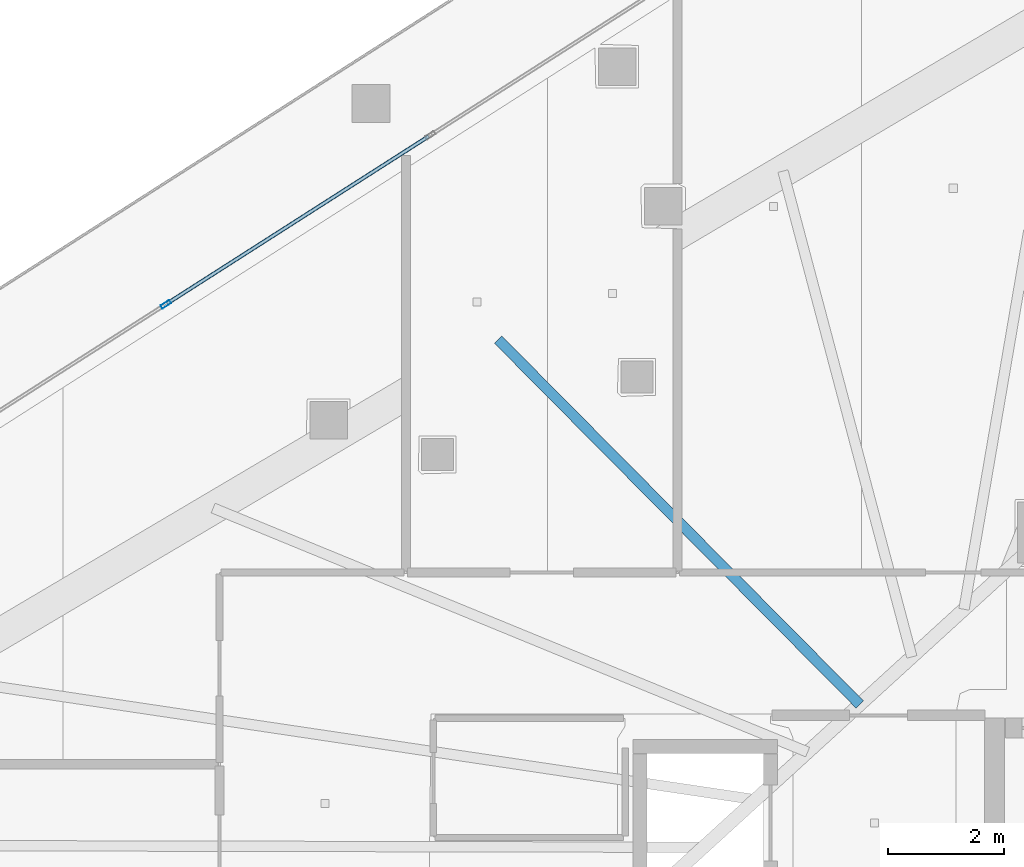
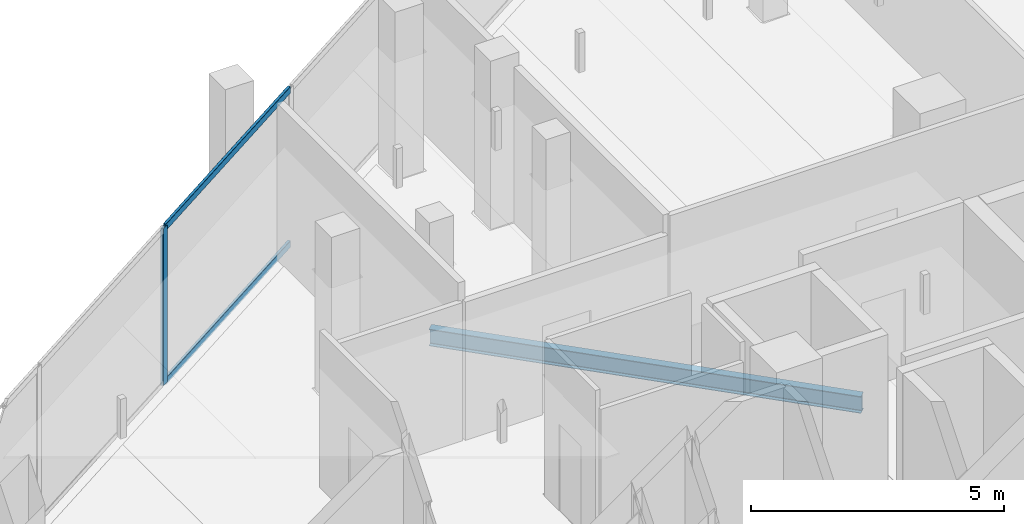
# One storey, part 15 of 38: 3 members, 1 beam, 1 element without a shape of its own.
"""IFC4 building model written with IfcOpenShell, lengths in metres."""

from ifc_helpers import new_model, si_unit, direction, frame, origin, origin_2d, place, context, subcontext, project, spatial, hollow_rectangle, i_section, extrude, material, layer, layer_set, material_profile, profile_set, type_object, element, aggregate, save


model = new_model("IFC4")

# Units and contexts
model_context = context("Model", 3, precision=1e-05, world=origin(), true_north=direction((0.0, 1.0)))
body_context = subcontext(model_context, "Body", "Model", "MODEL_VIEW")
ifc_project = project(units=[si_unit("LENGTHUNIT", "METRE"), si_unit("AREAUNIT", "SQUARE_METRE"), si_unit("VOLUMEUNIT", "CUBIC_METRE"), si_unit("PLANEANGLEUNIT", "RADIAN"), si_unit("MASSUNIT", "GRAM", prefix="KILO")], contexts=[model_context])

# Site, building, storey
site_placement = place(None, origin())
site = spatial("IfcSite", under=ifc_project, at=site_placement, CompositionType="ELEMENT")
building_placement = place(site_placement, origin())
building = spatial("IfcBuilding", under=site, at=building_placement, Name="Qorvath Tower", CompositionType="ELEMENT")
storey_placement = place(building_placement, frame((0.0, 0.0, 146.25)))
storey = spatial("IfcBuildingStorey", under=building, at=storey_placement, Name="L33", CompositionType="ELEMENT", Elevation=146.25)

# Beam
ifc_material_1 = material(Name="Steel ASTM A992 Grade 50", Category="steel")
ifc_material_profile_1 = material_profile(ifc_material_1, i_section(OverallWidth=0.177978515625, OverallDepth=0.406005859375, WebThickness=0.0078125, FlangeThickness=0.0126953125, FilletRadius=0.010986328125, at=origin_2d()), Name="W16x40")
ifc_profile_set_1 = profile_set([ifc_material_profile_1], Name="Steel ASTM A992 Grade 50")
beam_type = type_object("IfcBeamType", Name="BM-FJ3", PredefinedType="JOIST", material=ifc_profile_set_1)
beam_placement = place(storey_placement, frame((-26.843017578125, 8.489013671875, -0.472900390625), z_axis=(-0.70395121362, 0.710248328997, 0.0), x_axis=(-0.710248328997, -0.70395121362, 0.0)))
element("IfcBeam", 1, at=beam_placement, inside=storey, type_object=beam_type, Name="Composite Floor Joist NW4 L33", PredefinedType="JOIST", context=body_context, shape_type="SweptSolid", body=[
    extrude(i_section(OverallWidth=0.177978515625, OverallDepth=0.406005859375, WebThickness=0.0078125, FlangeThickness=0.0126953125, FilletRadius=0.010986328125, at=origin_2d()), origin(), (0.0, 0.0, 1.0), 8.839599609375),
])

# Curtain wall, members
ifc_material_2 = material(Name="Anodised aluminium and triple low-E glass", Category="aluminium")
ifc_layer = layer(ifc_material_2, 0.179931640625)
ifc_layer_set = layer_set([ifc_layer], Name="CW-SYS-3")
curtain_wall_type = type_object("IfcCurtainWallType", Name="CW-SYS-3", PredefinedType="NOTDEFINED", material=ifc_layer_set)
curtain_wall_placement = place(storey_placement, origin())
curtain_wall = element("IfcCurtainWall", 2, at=curtain_wall_placement, inside=storey, type_object=curtain_wall_type, Name="Curtain Wall CW-3 CW-T-L33-16.1", PredefinedType="NOTDEFINED")
ifc_material_3 = material(Name="Anodised aluminium 6063-T6", Category="aluminium")
ifc_material_profile_2 = material_profile(ifc_material_3, hollow_rectangle(XDim=0.06494140625, YDim=0.179931640625, WallThickness=0.00341796875, InnerFilletRadius=0.00341796875, OuterFilletRadius=0.007080078125, at=origin_2d()), Name="CWM 180x65")
ifc_profile_set_2 = profile_set([ifc_material_profile_2], Name="Anodised aluminium 6063-T6")
member_type_1 = type_object("IfcMemberType", Name="CWM-180", PredefinedType="MULLION", material=ifc_profile_set_2)
member_1_placement = place(storey_placement, frame((-38.78173828125, 15.373779296875, 0.0), z_axis=(0.0, 0.0, 1.0), x_axis=(0.53853296968, -0.842604438967, 0.0)))
member_1 = element("IfcMember", 3, at=member_1_placement, type_object=member_type_1, Name="CW-3 mullion 6", PredefinedType="MULLION", context=body_context, shape_type="SweptSolid", body=[
    extrude(hollow_rectangle(XDim=0.06494140625, YDim=0.179931640625, WallThickness=0.00341796875, InnerFilletRadius=0.00341796875, OuterFilletRadius=0.007080078125, at=origin_2d()), origin(), (0.0, 0.0, 1.0), 3.780029296875),
])
ifc_material_4 = material(Name="Anodised aluminium 6063-T6", Category="aluminium")
ifc_material_profile_3 = material_profile(ifc_material_4, hollow_rectangle(XDim=0.06494140625, YDim=0.159912109375, WallThickness=0.00341796875, InnerFilletRadius=0.00341796875, OuterFilletRadius=0.007080078125, at=origin_2d()), Name="CWT 160x65")
ifc_profile_set_3 = profile_set([ifc_material_profile_3], Name="Anodised aluminium 6063-T6")
member_type_2 = type_object("IfcMemberType", Name="CWT-160", PredefinedType="USERDEFINED", material=ifc_profile_set_3)
member_2_placement = place(storey_placement, frame((-34.258544921875, 18.264892578125, 0.032470703125), z_axis=(-0.842574568143, -0.53857970359, 0.0), x_axis=(0.53857970359, -0.842574568143, 0.0)))
member_2 = element("IfcMember", 4, at=member_2_placement, type_object=member_type_2, Name="CW-3 transom 5.1", ObjectType="TRANSOM", PredefinedType="USERDEFINED", context=body_context, shape_type="SweptSolid", body=[
    extrude(hollow_rectangle(XDim=0.06494140625, YDim=0.159912109375, WallThickness=0.00341796875, InnerFilletRadius=0.00341796875, OuterFilletRadius=0.007080078125, at=origin_2d()), origin(), (0.0, 0.0, 1.0), 5.3359375),
])
member_3_placement = place(storey_placement, frame((-34.258544921875, 18.264892578125, 3.74755859375), z_axis=(-0.842574568143, -0.53857970359, 0.0), x_axis=(0.53857970359, -0.842574568143, 0.0)))
member_3 = element("IfcMember", 5, at=member_3_placement, type_object=member_type_2, Name="CW-3 transom 5.2", ObjectType="TRANSOM", PredefinedType="USERDEFINED", context=body_context, shape_type="SweptSolid", body=[
    extrude(hollow_rectangle(XDim=0.06494140625, YDim=0.159912109375, WallThickness=0.00341796875, InnerFilletRadius=0.00341796875, OuterFilletRadius=0.007080078125, at=origin_2d()), origin(), (0.0, 0.0, 1.0), 5.3359375),
])
aggregate(curtain_wall, [member_1, member_2, member_3])

save(model, "model.ifc")
